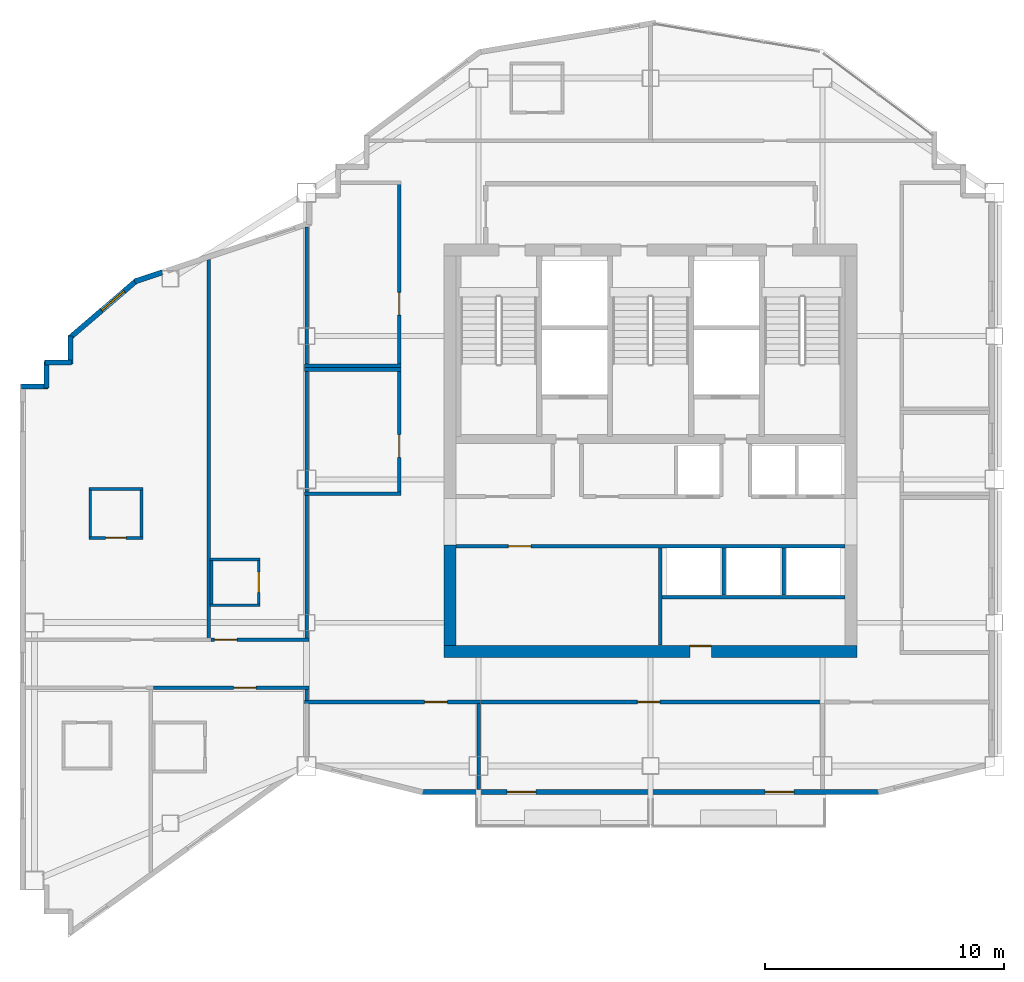
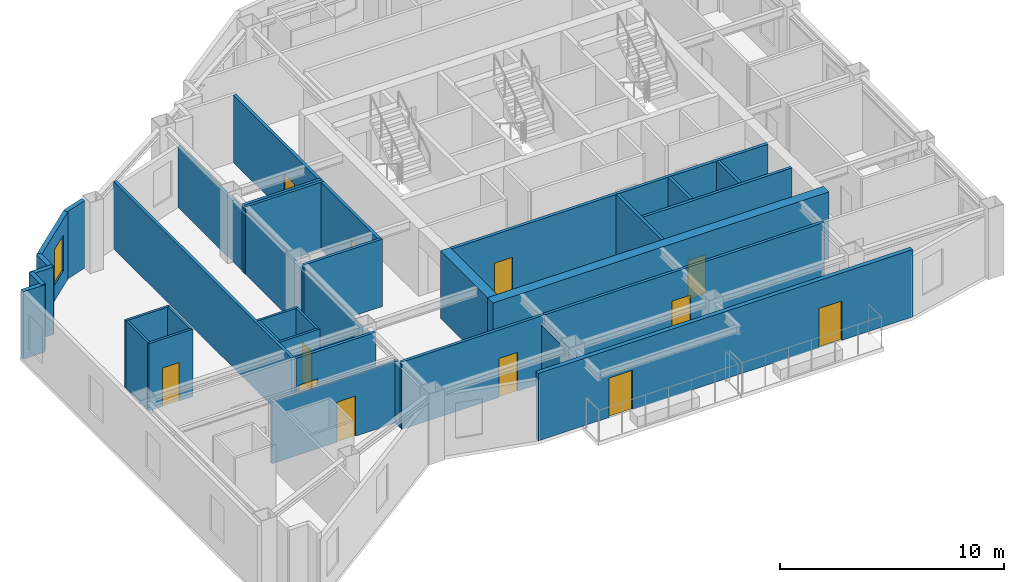
# One storey, part 5 of 9: 37 walls, 12 doors, 1 window, 13 openings.
"""IFC4 building model written with IfcOpenShell, lengths in metres."""

import ifcopenshell
import ifcopenshell.guid

model = None  # the IFC model being written
_history = None  # IfcOwnerHistory: only IFC2X3 demands one
_inside = {}  # id of a spatial element -> (the spatial element, [elements in it])
_under = {}  # id of a project, library or spatial element -> (it, [spatial elements below it])
_declared = {}  # id of a project -> (the project, [libraries it declares])
_typed = {}  # id of a type object -> (the type object, [elements of that type])
_made_of = {}  # id of a material, layer set ... -> (it, [elements and type objects made of it])


def new_model(schema):
    """Start an empty IFC model of exactly this schema.

    Asked for "IFC4X3", IfcOpenShell would pick the latest addendum, in which some entities
    have other attributes; the version numbers below select the first issue.
    IFC2X3 requires an IfcOwnerHistory on every rooted entity: one is made here for all.
    """
    global model, _history
    if schema == "IFC4X3":
        model = ifcopenshell.file(schema_version=(4, 3, 0, 0))
    else:
        model = ifcopenshell.file(schema=schema)
    _inside.clear()
    _under.clear()
    _declared.clear()
    _typed.clear()
    _made_of.clear()
    _history = None
    if model.schema == "IFC2X3":
        org = make("IfcOrganization", Name="unknown")
        user = make(
            "IfcPersonAndOrganization",
            ThePerson=make("IfcPerson", FamilyName="unknown"),
            TheOrganization=org,
        )
        app = make(
            "IfcApplication",
            ApplicationDeveloper=org,
            Version="unknown",
            ApplicationFullName="unknown",
            ApplicationIdentifier="unknown",
        )
        _history = make(
            "IfcOwnerHistory",
            OwningUser=user,
            OwningApplication=app,
            ChangeAction="ADDED",
            CreationDate=0,
        )
    return model


def make(cls, **values):
    """One entity of the class cls with the attributes given. An attribute that is None is left unset."""
    return model.create_entity(
        cls, **{name: value for name, value in values.items() if value is not None}
    )


def rooted(cls, **values):
    """An entity with a GlobalId (a new one), such as an element, a storey or a relation."""
    return make(cls, GlobalId=ifcopenshell.guid.new(), OwnerHistory=_history, **values)


def si_unit(unit_type, name, prefix=None):
    """IfcSIUnit, for example si_unit("LENGTHUNIT", "METRE", prefix="MILLI")."""
    return make("IfcSIUnit", UnitType=unit_type, Prefix=prefix, Name=name)


def assignment(units):
    """IfcUnitAssignment: the units of a project."""
    return None if units is None else make("IfcUnitAssignment", Units=units)


def point(xyz):
    """IfcCartesianPoint."""
    return None if xyz is None else make("IfcCartesianPoint", Coordinates=xyz)


def direction(xyz):
    """IfcDirection."""
    return None if xyz is None else make("IfcDirection", DirectionRatios=xyz)


def frame(location, z_axis=None, x_axis=None):
    """IfcAxis2Placement3D, a coordinate frame: its origin and axes. An axis left out is left unset."""
    return make(
        "IfcAxis2Placement3D",
        Location=point(location),
        Axis=direction(z_axis),
        RefDirection=direction(x_axis),
    )


def frame_2d(location, x_axis=None):
    """IfcAxis2Placement2D, a coordinate frame in the plane: its origin and x axis."""
    return make(
        "IfcAxis2Placement2D", Location=point(location), RefDirection=direction(x_axis)
    )


def origin():
    """The frame at (0, 0, 0) with its axes left unset."""
    return frame((0.0, 0.0, 0.0))


def place(relative_to, where):
    """IfcLocalPlacement: puts the frame where relative to a parent placement (None: the world)."""
    return make(
        "IfcLocalPlacement", PlacementRelTo=relative_to, RelativePlacement=where
    )


def context(
    kind, dimensions, precision=None, world=None, true_north=None, identifier=None
):
    """IfcGeometricRepresentationContext, for example the 3D "Model" context."""
    return make(
        "IfcGeometricRepresentationContext",
        ContextIdentifier=identifier,
        ContextType=kind,
        CoordinateSpaceDimension=dimensions,
        Precision=precision,
        WorldCoordinateSystem=world,
        TrueNorth=true_north,
    )


def subcontext(parent, identifier, kind, view, scale=None):
    """IfcGeometricRepresentationSubContext, for example "Body" below "Model"."""
    return make(
        "IfcGeometricRepresentationSubContext",
        ContextIdentifier=identifier,
        ContextType=kind,
        ParentContext=parent,
        TargetScale=scale,
        TargetView=view,
    )


def project(units=None, contexts=None):
    """IfcProject with its units and contexts."""
    return rooted(
        "IfcProject",
        Name="project",
        RepresentationContexts=contexts,
        UnitsInContext=assignment(units),
    )


def spatial(cls, under=None, at=None, **own):
    """A site, building, storey or space (cls), placed at a placement, below another one or the project."""
    s = rooted(cls, ObjectPlacement=at, **own)
    if under is not None:
        _under.setdefault(under.id(), (under, []))[1].append(s)
    return s


def profile(cls, at=None, kind="AREA", **sizes):
    """A parametric profile (cls). Its sizes go by their IFC names, for example OverallWidth=200.0."""
    return make(cls, ProfileType=kind, Position=at, **sizes)


def rectangle(**sizes):
    """IfcRectangleProfileDef."""
    return profile("IfcRectangleProfileDef", **sizes)


def extrude(swept, where, along, depth):
    """IfcExtrudedAreaSolid: the profile swept, set in the frame where, extruded along a direction by depth."""
    return make(
        "IfcExtrudedAreaSolid",
        SweptArea=swept,
        Position=where,
        ExtrudedDirection=direction(along),
        Depth=depth,
    )


def shape(context_of_items, identifier, shape_type, items):
    """IfcShapeRepresentation: the items that make up one representation, for example the "Body"."""
    return make(
        "IfcShapeRepresentation",
        ContextOfItems=context_of_items,
        RepresentationIdentifier=identifier,
        RepresentationType=shape_type,
        Items=items,
    )


def material(Name=None, Category=None):
    """IfcMaterial."""
    return make("IfcMaterial", Name=Name, Category=Category)


def layer(
    of_material, thickness, ventilated=None, Name=None, Category=None, Priority=None
):
    """IfcMaterialLayer: one layer of a wall or slab, of a material (None: an air gap)."""
    return make(
        "IfcMaterialLayer",
        Material=of_material,
        LayerThickness=thickness,
        IsVentilated=ventilated,
        Name=Name,
        Category=Category,
        Priority=Priority,
    )


def layer_set(layers, Name=None):
    """IfcMaterialLayerSet."""
    return make("IfcMaterialLayerSet", MaterialLayers=layers, LayerSetName=Name)


def made_of(thing, what):
    """Note that an element or type object is made of a material, layer set ...; save() writes the relation."""
    if what is not None:
        _made_of.setdefault(what.id(), (what, []))[1].append(thing)
    return thing


def type_object(cls, material=None, **own):
    """A type object (cls), such as IfcWallType, which elements share."""
    return made_of(rooted(cls, **own), material)


def element(
    cls,
    number,
    at=None,
    inside=None,
    cuts=None,
    type_object=None,
    material=None,
    context=None,
    identifier="Body",
    shape_type=None,
    held_by="IfcProductDefinitionShape",
    body=None,
    shapes=None,
    **own,
):
    """One element of the class cls, such as IfcWall. Its Tag is "e" and its number.

    at: its placement. inside: the storey or other place that contains it. cuts: it is an
    opening in that element (IfcRelVoidsElement). A single representation is given by context,
    identifier, shape_type and body (its items); several are given by shapes. held_by: the class
    of the entity that holds the representations. save() writes the other relations.
    """
    e = rooted(cls, Tag="e%d" % number, ObjectPlacement=at, **own)
    if body is not None:
        shapes = [shape(context, identifier, shape_type, body)]
    if shapes is not None:
        e.Representation = make(held_by, Representations=shapes)
    if inside is not None:
        _inside.setdefault(inside.id(), (inside, []))[1].append(e)
    if cuts is not None:
        rooted(
            "IfcRelVoidsElement", RelatingBuildingElement=cuts, RelatedOpeningElement=e
        )
    if type_object is not None:
        _typed.setdefault(type_object.id(), (type_object, []))[1].append(e)
    return made_of(e, material)


def fill(opening, filler):
    """IfcRelFillsElement: the door or window that sits in an opening."""
    return rooted(
        "IfcRelFillsElement",
        RelatingOpeningElement=opening,
        RelatedBuildingElement=filler,
    )


def aggregate(whole, parts):
    """IfcRelAggregates: a whole, such as a stair, and the parts it consists of."""
    return rooted("IfcRelAggregates", RelatingObject=whole, RelatedObjects=parts)


def save(model, path):
    """Write the relations noted so far, then the file.

    IfcRelAggregates (storeys below a building ...), IfcRelContainedInSpatialStructure (elements
    in a storey), IfcRelDefinesByType, IfcRelAssociatesMaterial and IfcRelDeclares: one each for
    every whole, place, type object, material and project.
    """
    for whole, parts in _under.values():
        aggregate(whole, parts)
    for where, things in _inside.values():
        rooted(
            "IfcRelContainedInSpatialStructure",
            RelatedElements=things,
            RelatingStructure=where,
        )
    for kind, things in _typed.values():
        rooted("IfcRelDefinesByType", RelatedObjects=things, RelatingType=kind)
    for what, things in _made_of.values():
        rooted("IfcRelAssociatesMaterial", RelatedObjects=things, RelatingMaterial=what)
    for by, libraries in _declared.values():
        rooted("IfcRelDeclares", RelatingContext=by, RelatedDefinitions=libraries)
    model.write(path)


model = new_model("IFC4")

# Units and contexts
model_context = context("Model", 3, precision=1e-05, world=origin(), true_north=direction((0.0, 1.0)))
body_context = subcontext(model_context, "Body", "Model", "MODEL_VIEW")
ifc_project = project(units=[si_unit("LENGTHUNIT", "METRE"), si_unit("AREAUNIT", "SQUARE_METRE"), si_unit("VOLUMEUNIT", "CUBIC_METRE"), si_unit("PLANEANGLEUNIT", "RADIAN"), si_unit("MASSUNIT", "GRAM", prefix="KILO")], contexts=[model_context])

# Site, building, storey
site_placement = place(None, origin())
site = spatial("IfcSite", under=ifc_project, at=site_placement, CompositionType="ELEMENT")
building_placement = place(site_placement, origin())
building = spatial("IfcBuilding", under=site, at=building_placement, Name="Haolan Belvedere Tower", CompositionType="ELEMENT")
storey_placement = place(building_placement, frame((0.0, 0.0, 239.050048828125)))
storey = spatial("IfcBuildingStorey", under=building, at=storey_placement, Name="L60", CompositionType="ELEMENT", Elevation=239.050048828125)

# Wall, opening, door
ifc_material_1 = material(Name="Concrete C50/60", Category="concrete")
ifc_layer_1 = layer(ifc_material_1, 0.5, Name="Concrete C50/60")
ifc_layer_set_1 = layer_set([ifc_layer_1], Name="Concrete C50/60")
wall_type_1 = type_object("IfcWallType", Name="WL-CORE-500", PredefinedType="SHEAR", material=ifc_layer_set_1)
wall_1_placement = place(storey_placement, frame((29.75, 26.39990234375, 0.0), z_axis=(0.0, 0.0, 1.0), x_axis=(1.0, 0.0, 0.0)))
wall_1 = element("IfcWall", 1, at=wall_1_placement, inside=storey, type_object=wall_type_1, Name="L60 central core south shear wall", PredefinedType="SHEAR", context=body_context, shape_type="SweptSolid", body=[
    extrude(rectangle(XDim=17.300048828125, YDim=0.5, at=frame_2d((8.64990234375, 0.0))), origin(), (0.0, 0.0, 1.0), 3.669921875),
])
opening_1_placement = place(wall_1_placement, frame((11.199951171875, 0.0, 0.0), z_axis=(0.0, 0.0, 1.0), x_axis=(-1.0, 0.0, 0.0)))
opening_1 = element("IfcOpeningElement", 2, at=opening_1_placement, cuts=wall_1, Name="Opening FD-05", PredefinedType="OPENING", context=body_context, shape_type="SweptSolid", body=[
    extrude(rectangle(XDim=0.89990234375, YDim=2.10009765625, at=frame_2d((0.449951171875, 1.050048828125))), frame((0.0, 0.260009765625, 0.0), z_axis=(0.0, -1.0, 0.0), x_axis=(1.0, 0.0, 0.0)), (0.0, 0.0, 1.0), 0.52001953125),
])
ifc_material_2 = material(Name="Galvanised fire-rated steel", Category="steel")
door_type_1 = type_object("IfcDoorType", Name="DR-FD60-900", OperationType="NOTDEFINED", PredefinedType="DOOR", material=ifc_material_2)
door_1_placement = place(opening_1_placement, origin())
door_1 = element("IfcDoor", 3, at=door_1_placement, inside=storey, type_object=door_type_1, Name="L60 door CD-L60-SCVE", OperationType="SINGLE_SWING_RIGHT", OverallHeight=2.10009765625, OverallWidth=0.89990234375, PredefinedType="DOOR", context=body_context, shape_type="SweptSolid", body=[
    extrude(rectangle(XDim=0.89990234375, YDim=2.10009765625, at=frame_2d((0.449951171875, 1.050048828125))), frame((0.0, -0.19482421875, 0.0), z_axis=(0.0, -1.0, 0.0), x_axis=(1.0, 0.0, 0.0)), (0.0, 0.0, 1.0), 0.050048828125),
])
fill(opening_1, door_1)

# Wall
wall_2_placement = place(storey_placement, frame((30.0, 26.64990234375, 0.0), z_axis=(0.0, 0.0, 1.0), x_axis=(0.0, 1.0, 0.0)))
element("IfcWall", 4, at=wall_2_placement, inside=storey, type_object=wall_type_1, Name="L60 central core shear wall WS", PredefinedType="SHEAR", context=body_context, shape_type="SweptSolid", body=[
    extrude(rectangle(XDim=4.2001953125, YDim=0.5, at=frame_2d((2.10009765625, 0.0))), origin(), (0.0, 0.0, 1.0), 3.669921875),
])

# Wall, openings, doors
ifc_material_3 = material(Name="Precast concrete C40/50", Category="concrete")
ifc_layer_2 = layer(ifc_material_3, 0.219970703125, Name="Precast concrete C40/50")
ifc_layer_set_2 = layer_set([ifc_layer_2], Name="Precast concrete C40/50")
wall_type_2 = type_object("IfcWallType", Name="WL-EXT-220", PredefinedType="SOLIDWALL", material=ifc_layer_set_2)
wall_3_placement = place(storey_placement, frame((28.758544921875, 20.510009765625, 0.0), z_axis=(0.0, 0.0, 1.0), x_axis=(1.0, 0.0, 0.0)))
wall_3 = element("IfcWall", 5, at=wall_3_placement, inside=storey, type_object=wall_type_2, Name="L60 pale-metal exterior spandrel wall 1.1", PredefinedType="SOLIDWALL", context=body_context, shape_type="SweptSolid", body=[
    extrude(rectangle(XDim=19.282958984375, YDim=0.219970703125, at=frame_2d((9.6416015625, 0.0))), origin(), (0.0, 0.0, 1.0), 3.669921875),
])
opening_2_placement = place(wall_3_placement, frame((4.841552734375, 0.0, 0.0), z_axis=(0.0, 0.0, 1.0), x_axis=(-1.0, 0.0, 0.0)))
opening_2 = element("IfcOpeningElement", 6, at=opening_2_placement, cuts=wall_3, Name="Opening BD-01", PredefinedType="OPENING", context=body_context, shape_type="SweptSolid", body=[
    extrude(rectangle(XDim=1.199951171875, YDim=2.14990234375, at=frame_2d((0.60009765625, 1.074951171875))), frame((0.0, 0.119873046875, 0.0), z_axis=(0.0, -1.0, 0.0), x_axis=(1.0, 0.0, 0.0)), (0.0, 0.0, 1.0), 0.239990234375),
])
opening_3_placement = place(wall_3_placement, frame((15.641357421875, 0.0, 0.0), z_axis=(0.0, 0.0, 1.0), x_axis=(-1.0, 0.0, 0.0)))
opening_3 = element("IfcOpeningElement", 7, at=opening_3_placement, cuts=wall_3, Name="Opening BD-01", PredefinedType="OPENING", context=body_context, shape_type="SweptSolid", body=[
    extrude(rectangle(XDim=1.199951171875, YDim=2.14990234375, at=frame_2d((0.60009765625, 1.074951171875))), frame((0.0, 0.119873046875, 0.0), z_axis=(0.0, -1.0, 0.0), x_axis=(1.0, 0.0, 0.0)), (0.0, 0.0, 1.0), 0.239990234375),
])
ifc_material_4 = material(Name="Thermally broken pale-metal aluminium and Low-E glass", Category="aluminium")
door_type_2 = type_object("IfcDoorType", Name="DR-BAL-1200", OperationType="NOTDEFINED", PredefinedType="DOOR", material=ifc_material_4)
door_2_placement = place(opening_2_placement, origin())
door_2 = element("IfcDoor", 8, at=door_2_placement, inside=storey, type_object=door_type_2, Name="L60 tree-balcony access door 1", OperationType="SINGLE_SWING_RIGHT", OverallHeight=2.14990234375, OverallWidth=1.199951171875, PredefinedType="DOOR", context=body_context, shape_type="SweptSolid", body=[
    extrude(rectangle(XDim=1.199951171875, YDim=2.14990234375, at=frame_2d((0.60009765625, 1.074951171875))), frame((0.0, 0.02490234375, 0.0), z_axis=(0.0, -1.0, 0.0), x_axis=(1.0, 0.0, 0.0)), (0.0, 0.0, 1.0), 0.050048828125),
])
fill(opening_2, door_2)
door_3_placement = place(opening_3_placement, origin())
door_3 = element("IfcDoor", 9, at=door_3_placement, inside=storey, type_object=door_type_2, Name="L60 tree-balcony access door 2", OperationType="SINGLE_SWING_LEFT", OverallHeight=2.14990234375, OverallWidth=1.199951171875, PredefinedType="DOOR", context=body_context, shape_type="SweptSolid", body=[
    extrude(rectangle(XDim=1.199951171875, YDim=2.14990234375, at=frame_2d((0.60009765625, 1.074951171875))), frame((0.0, 0.02490234375, 0.0), z_axis=(0.0, -1.0, 0.0), x_axis=(1.0, 0.0, 0.0)), (0.0, 0.0, 1.0), 0.050048828125),
])
fill(opening_3, door_3)

# Wall
wall_4_placement = place(storey_placement, frame((17.9580078125, 42.27001953125, 0.0), z_axis=(0.0, 0.0, 1.0), x_axis=(-0.948683298051, -0.316227766017, 0.0)))
element("IfcWall", 10, at=wall_4_placement, inside=storey, type_object=wall_type_2, Name="L60 pale-metal exterior spandrel wall 17.2", PredefinedType="SOLIDWALL", context=body_context, shape_type="SweptSolid", body=[
    extrude(rectangle(XDim=1.217529296875, YDim=0.219970703125, at=frame_2d((0.60888671875, 0.0))), origin(), (0.0, 0.0, 1.0), 3.669921875),
])

# Wall, opening, window
wall_5_placement = place(storey_placement, frame((16.89697265625, 41.938232421875, 0.0), z_axis=(0.0, 0.0, 1.0), x_axis=(-0.759279729622, -0.650764390686, 0.0)))
wall_5 = element("IfcWall", 11, at=wall_5_placement, inside=storey, type_object=wall_type_2, Name="L60 pale-metal exterior spandrel wall 18.1", PredefinedType="SOLIDWALL", context=body_context, shape_type="SweptSolid", body=[
    extrude(rectangle(XDim=3.725830078125, YDim=0.219970703125, at=frame_2d((1.86279296875, 0.0))), origin(), (0.0, 0.0, 1.0), 3.669921875),
])
opening_4_placement = place(wall_5_placement, frame((0.699951171875, 0.0, 0.85009765625)))
opening_4 = element("IfcOpeningElement", 12, at=opening_4_placement, cuts=wall_5, Name="Opening W-04", PredefinedType="OPENING", context=body_context, shape_type="SweptSolid", body=[
    extrude(rectangle(XDim=1.25, YDim=1.949951171875, at=frame_2d((0.625, 0.97509765625))), frame((0.0, 0.119873046875, 0.0), z_axis=(0.0, -1.0, 0.0), x_axis=(1.0, 0.0, 0.0)), (0.0, 0.0, 1.0), 0.239990234375),
])
ifc_material_5 = material(Name="Anodised aluminium 6063-T6 and Low-E glass", Category="aluminium")
window_type = type_object("IfcWindowType", Name="WN-DECO-Z4", PartitioningType="SINGLE_PANEL", PredefinedType="WINDOW", material=ifc_material_5)
window_placement = place(opening_4_placement, origin())
window = element("IfcWindow", 13, at=window_placement, inside=storey, type_object=window_type, Name="L60 Art Deco chevron window 1", OverallHeight=1.949951171875, OverallWidth=1.25, PartitioningType="SINGLE_PANEL", PredefinedType="WINDOW", context=body_context, shape_type="SweptSolid", body=[
    extrude(rectangle(XDim=1.25, YDim=1.949951171875, at=frame_2d((0.625, 0.97509765625))), frame((0.0, 0.030029296875, 0.0), z_axis=(0.0, -1.0, 0.0), x_axis=(1.0, 0.0, 0.0)), (0.0, 0.0, 1.0), 0.06005859375),
])
fill(opening_4, window)

# Walls
wall_6_placement = place(storey_placement, frame((14.110107421875, 39.6044921875, 0.0), z_axis=(0.0, 0.0, 1.0), x_axis=(0.0, -1.0, 0.0)))
element("IfcWall", 14, at=wall_6_placement, inside=storey, type_object=wall_type_2, Name="L60 pale-metal exterior spandrel wall 19.1", PredefinedType="SOLIDWALL", context=body_context, shape_type="SweptSolid", body=[
    extrude(rectangle(XDim=1.16943359375, YDim=0.219970703125, at=frame_2d((0.584716796875, 0.0))), origin(), (0.0, 0.0, 1.0), 3.669921875),
])
wall_7_placement = place(storey_placement, frame((14.1650390625, 38.489990234375, 0.0), z_axis=(0.0, 0.0, 1.0), x_axis=(-1.0, 0.0, 0.0)))
element("IfcWall", 15, at=wall_7_placement, inside=storey, type_object=wall_type_2, Name="L60 pale-metal exterior spandrel wall 20.1", PredefinedType="SOLIDWALL", context=body_context, shape_type="SweptSolid", body=[
    extrude(rectangle(XDim=1.110107421875, YDim=0.219970703125, at=frame_2d((0.55517578125, 0.0))), origin(), (0.0, 0.0, 1.0), 3.669921875),
])
wall_8_placement = place(storey_placement, frame((13.110107421875, 38.544921875, 0.0), z_axis=(0.0, 0.0, 1.0), x_axis=(0.0, -1.0, 0.0)))
element("IfcWall", 16, at=wall_8_placement, inside=storey, type_object=wall_type_2, Name="L60 pale-metal exterior spandrel wall 21.1", PredefinedType="SOLIDWALL", context=body_context, shape_type="SweptSolid", body=[
    extrude(rectangle(XDim=1.10986328125, YDim=0.219970703125, at=frame_2d((0.554931640625, 0.0))), origin(), (0.0, 0.0, 1.0), 3.669921875),
])
wall_9_placement = place(storey_placement, frame((13.1650390625, 37.489990234375, 0.0), z_axis=(0.0, 0.0, 1.0), x_axis=(-1.0, 0.0, 0.0)))
element("IfcWall", 17, at=wall_9_placement, inside=storey, type_object=wall_type_2, Name="L60 pale-metal exterior spandrel wall 22.1", PredefinedType="SOLIDWALL", context=body_context, shape_type="SweptSolid", body=[
    extrude(rectangle(XDim=1.110107421875, YDim=0.219970703125, at=frame_2d((0.55517578125, 0.0))), origin(), (0.0, 0.0, 1.0), 3.669921875),
])
ifc_material_6 = material(Name="Double gypsum acoustic stud partition", Category="masonry")
ifc_layer_3 = layer(ifc_material_6, 0.14990234375, Name="Double gypsum acoustic stud partition")
ifc_layer_set_3 = layer_set([ifc_layer_3], Name="Double gypsum acoustic stud partition")
wall_type_3 = type_object("IfcWallType", Name="WL-PART-150", PredefinedType="PARTITIONING", material=ifc_layer_set_3)
wall_10_placement = place(storey_placement, frame((38.860107421875, 28.659912109375, 0.0), z_axis=(0.0, 0.0, 1.0), x_axis=(1.0, 0.0, 0.0)))
element("IfcWall", 18, at=wall_10_placement, inside=storey, type_object=wall_type_3, Name="L60 interior partition IW-L60-SSTRIP-E", PredefinedType="PARTITIONING", context=body_context, shape_type="SweptSolid", body=[
    extrude(rectangle(XDim=7.68994140625, YDim=0.14990234375, at=frame_2d((3.844970703125, 0.0))), origin(), (0.0, 0.0, 1.0), 3.669921875),
])
for number, where, z_axis, x_axis, name in (
    (19, (23.919921875, 38.199951171875, 0.0), (0.0, 0.0, 1.0), (1.0, 0.0, 0.0), "L60 interior partition IW-L60-HSK-N"),
    (20, (23.919921875, 33.0, 0.0), (0.0, 0.0, 1.0), (1.0, 0.0, 0.0), "L60 interior partition IW-L60-HSK-S"),
):
    element("IfcWall", number, at=place(storey_placement, frame(where, z_axis=z_axis, x_axis=x_axis)), inside=storey, type_object=wall_type_3, Name=name, PredefinedType="PARTITIONING", context=body_context, shape_type="SweptSolid", body=[
        extrude(rectangle(XDim=4.0400390625, YDim=0.14990234375, at=frame_2d((2.02001953125, 0.0))), origin(), (0.0, 0.0, 1.0), 3.669921875),
    ])
wall_11_placement = place(storey_placement, frame((24.0, 33.06005859375, 0.0), z_axis=(0.0, 0.0, 1.0), x_axis=(0.0, 1.0, 0.0)))
element("IfcWall", 21, at=wall_11_placement, inside=storey, type_object=wall_type_3, Name="L60 interior partition IW-L60-HSK-W", PredefinedType="PARTITIONING", context=body_context, shape_type="SweptSolid", body=[
    extrude(rectangle(XDim=5.079833984375, YDim=0.14990234375, at=frame_2d((2.5400390625, 0.0))), origin(), (0.0, 0.0, 1.0), 3.31494140625),
])

# Wall, opening, door
wall_12_placement = place(storey_placement, frame((27.8798828125, 33.06005859375, 0.0), z_axis=(0.0, 0.0, 1.0), x_axis=(0.0, 1.0, 0.0)))
wall_12 = element("IfcWall", 22, at=wall_12_placement, inside=storey, type_object=wall_type_3, Name="L60 interior partition IW-L60-HSK-E", PredefinedType="PARTITIONING", context=body_context, shape_type="SweptSolid", body=[
    extrude(rectangle(XDim=5.079833984375, YDim=0.14990234375, at=frame_2d((2.5400390625, 0.0))), origin(), (0.0, 0.0, 1.0), 3.669921875),
])
opening_5_placement = place(wall_12_placement, frame((2.409912109375, 0.0, 0.0), z_axis=(0.0, 0.0, 1.0), x_axis=(-1.0, 0.0, 0.0)))
opening_5 = element("IfcOpeningElement", 23, at=opening_5_placement, cuts=wall_12, Name="Opening ID-03", PredefinedType="OPENING", context=body_context, shape_type="SweptSolid", body=[
    extrude(rectangle(XDim=0.949951171875, YDim=2.1201171875, at=frame_2d((0.47509765625, 1.06005859375))), frame((0.0, 0.0849609375, 0.0), z_axis=(0.0, -1.0, 0.0), x_axis=(1.0, 0.0, 0.0)), (0.0, 0.0, 1.0), 0.169921875),
])
ifc_material_7 = material(Name="Painted solid-core timber", Category="wood")
door_type_3 = type_object("IfcDoorType", Name="DR-INT-950", OperationType="NOTDEFINED", PredefinedType="DOOR", material=ifc_material_7)
door_4_placement = place(opening_5_placement, origin())
door_4 = element("IfcDoor", 24, at=door_4_placement, inside=storey, type_object=door_type_3, Name="L60 door ID-L60-HSK", OperationType="SINGLE_SWING_LEFT", OverallHeight=2.1201171875, OverallWidth=0.949951171875, PredefinedType="DOOR", context=body_context, shape_type="SweptSolid", body=[
    extrude(rectangle(XDim=0.949951171875, YDim=2.1201171875, at=frame_2d((0.47509765625, 1.06005859375))), frame((0.0, 0.02490234375, 0.0), z_axis=(0.0, -1.0, 0.0), x_axis=(1.0, 0.0, 0.0)), (0.0, 0.0, 1.0), 0.050048828125),
])
fill(opening_5, door_4)

# Walls
wall_13_placement = place(storey_placement, frame((23.919921875, 38.360107421875, 0.0), z_axis=(0.0, 0.0, 1.0), x_axis=(1.0, 0.0, 0.0)))
element("IfcWall", 25, at=wall_13_placement, inside=storey, type_object=wall_type_3, Name="L60 interior partition IW-L60-VLT-S", PredefinedType="PARTITIONING", context=body_context, shape_type="SweptSolid", body=[
    extrude(rectangle(XDim=4.0400390625, YDim=0.14990234375, at=frame_2d((2.02001953125, 0.0))), origin(), (0.0, 0.0, 1.0), 3.669921875),
])
wall_14_placement = place(storey_placement, frame((24.0, 38.419921875, 0.0), z_axis=(0.0, 0.0, 1.0), x_axis=(0.0, 1.0, 0.0)))
element("IfcWall", 26, at=wall_14_placement, inside=storey, type_object=wall_type_3, Name="L60 interior partition IW-L60-VLT-W", PredefinedType="PARTITIONING", context=body_context, shape_type="SweptSolid", body=[
    extrude(rectangle(XDim=5.756591796875, YDim=0.14990234375, at=frame_2d((2.87841796875, 0.0))), origin(), (0.0, 0.0, 1.0), 3.31494140625),
])

# Wall, opening, door
wall_15_placement = place(storey_placement, frame((27.8798828125, 38.419921875, 0.0), z_axis=(0.0, 0.0, 1.0), x_axis=(0.0, 1.0, 0.0)))
wall_15 = element("IfcWall", 27, at=wall_15_placement, inside=storey, type_object=wall_type_3, Name="L60 interior partition IW-L60-VLT-E", PredefinedType="PARTITIONING", context=body_context, shape_type="SweptSolid", body=[
    extrude(rectangle(XDim=7.5400390625, YDim=0.14990234375, at=frame_2d((3.77001953125, 0.0))), origin(), (0.0, 0.0, 1.0), 3.669921875),
])
opening_6_placement = place(wall_15_placement, frame((3.010009765625, 0.0, 0.0), z_axis=(0.0, 0.0, 1.0), x_axis=(-1.0, 0.0, 0.0)))
opening_6 = element("IfcOpeningElement", 28, at=opening_6_placement, cuts=wall_15, Name="Opening ID-03", PredefinedType="OPENING", context=body_context, shape_type="SweptSolid", body=[
    extrude(rectangle(XDim=0.949951171875, YDim=2.1201171875, at=frame_2d((0.47509765625, 1.06005859375))), frame((0.0, 0.0849609375, 0.0), z_axis=(0.0, -1.0, 0.0), x_axis=(1.0, 0.0, 0.0)), (0.0, 0.0, 1.0), 0.169921875),
])
door_5_placement = place(opening_6_placement, origin())
door_5 = element("IfcDoor", 29, at=door_5_placement, inside=storey, type_object=door_type_3, Name="L60 door ID-L60-VLT", OperationType="SINGLE_SWING_RIGHT", OverallHeight=2.1201171875, OverallWidth=0.949951171875, PredefinedType="DOOR", context=body_context, shape_type="SweptSolid", body=[
    extrude(rectangle(XDim=0.949951171875, YDim=2.1201171875, at=frame_2d((0.47509765625, 1.06005859375))), frame((0.0, 0.02490234375, 0.0), z_axis=(0.0, -1.0, 0.0), x_axis=(1.0, 0.0, 0.0)), (0.0, 0.0, 1.0), 0.050048828125),
])
fill(opening_6, door_5)

wall_16_placement = place(storey_placement, frame((23.919921875, 24.280029296875, 0.0), z_axis=(0.0, 0.0, 1.0), x_axis=(1.0, 0.0, 0.0)))
wall_16 = element("IfcWall", 30, at=wall_16_placement, inside=storey, type_object=wall_type_3, Name="L60 interior partition IW-L60-KS1-N", PredefinedType="PARTITIONING", context=body_context, shape_type="SweptSolid", body=[
    extrude(rectangle(XDim=7.360107421875, YDim=0.14990234375, at=frame_2d((3.68017578125, 0.0))), origin(), (0.0, 0.0, 1.0), 3.669921875),
])
opening_7_placement = place(wall_16_placement, frame((5.969970703125, 0.0, 0.0), z_axis=(0.0, 0.0, 1.0), x_axis=(-1.0, 0.0, 0.0)))
opening_7 = element("IfcOpeningElement", 31, at=opening_7_placement, cuts=wall_16, Name="Opening ID-03", PredefinedType="OPENING", context=body_context, shape_type="SweptSolid", body=[
    extrude(rectangle(XDim=0.949951171875, YDim=2.1201171875, at=frame_2d((0.47509765625, 1.06005859375))), frame((0.0, 0.0849609375, 0.0), z_axis=(0.0, -1.0, 0.0), x_axis=(1.0, 0.0, 0.0)), (0.0, 0.0, 1.0), 0.169921875),
])
door_6_placement = place(opening_7_placement, origin())
door_6 = element("IfcDoor", 32, at=door_6_placement, inside=storey, type_object=door_type_3, Name="L60 door ID-L60-KS1", OperationType="SINGLE_SWING_RIGHT", OverallHeight=2.1201171875, OverallWidth=0.949951171875, PredefinedType="DOOR", context=body_context, shape_type="SweptSolid", body=[
    extrude(rectangle(XDim=0.949951171875, YDim=2.1201171875, at=frame_2d((0.47509765625, 1.06005859375))), frame((0.0, 0.02490234375, 0.0), z_axis=(0.0, -1.0, 0.0), x_axis=(1.0, 0.0, 0.0)), (0.0, 0.0, 1.0), 0.050048828125),
])
fill(opening_7, door_6)

# Wall
wall_17_placement = place(storey_placement, frame((31.199951171875, 20.612060546875, 0.0), z_axis=(0.0, 0.0, 1.0), x_axis=(0.0, 1.0, 0.0)))
element("IfcWall", 33, at=wall_17_placement, inside=storey, type_object=wall_type_3, Name="L60 interior partition IW-L60-KS1-E", PredefinedType="PARTITIONING", context=body_context, shape_type="SweptSolid", body=[
    extrude(rectangle(XDim=3.60791015625, YDim=0.14990234375, at=frame_2d((1.803955078125, 0.0))), origin(), (0.0, 0.0, 1.0), 3.155029296875),
])

# Wall, opening, door
wall_18_placement = place(storey_placement, frame((31.281982421875, 24.280029296875, 0.0), z_axis=(0.0, 0.0, 1.0), x_axis=(1.0, 0.0, 0.0)))
wall_18 = element("IfcWall", 34, at=wall_18_placement, inside=storey, type_object=wall_type_3, Name="L60 interior partition IW-L60-KS2-N", PredefinedType="PARTITIONING", context=body_context, shape_type="SweptSolid", body=[
    extrude(rectangle(XDim=14.39794921875, YDim=0.14990234375, at=frame_2d((7.198974609375, 0.0))), origin(), (0.0, 0.0, 1.0), 3.669921875),
])
opening_8_placement = place(wall_18_placement, frame((7.512939453125, 0.0, 0.0), z_axis=(0.0, 0.0, 1.0), x_axis=(-1.0, 0.0, 0.0)))
opening_8 = element("IfcOpeningElement", 35, at=opening_8_placement, cuts=wall_18, Name="Opening ID-03", PredefinedType="OPENING", context=body_context, shape_type="SweptSolid", body=[
    extrude(rectangle(XDim=0.949951171875, YDim=2.1201171875, at=frame_2d((0.47509765625, 1.06005859375))), frame((0.0, 0.0849609375, 0.0), z_axis=(0.0, -1.0, 0.0), x_axis=(1.0, 0.0, 0.0)), (0.0, 0.0, 1.0), 0.169921875),
])
door_7_placement = place(opening_8_placement, origin())
door_7 = element("IfcDoor", 36, at=door_7_placement, inside=storey, type_object=door_type_3, Name="L60 door ID-L60-KS2", OperationType="SINGLE_SWING_LEFT", OverallHeight=2.1201171875, OverallWidth=0.949951171875, PredefinedType="DOOR", context=body_context, shape_type="SweptSolid", body=[
    extrude(rectangle(XDim=0.949951171875, YDim=2.1201171875, at=frame_2d((0.47509765625, 1.06005859375))), frame((0.0, 0.02490234375, 0.0), z_axis=(0.0, -1.0, 0.0), x_axis=(1.0, 0.0, 0.0)), (0.0, 0.0, 1.0), 0.050048828125),
])
fill(opening_8, door_7)

# Wall
wall_19_placement = place(storey_placement, frame((19.89990234375, 26.93994140625, 0.0), z_axis=(0.0, 0.0, 1.0), x_axis=(0.0, 1.0, 0.0)))
element("IfcWall", 37, at=wall_19_placement, inside=storey, type_object=wall_type_3, Name="L60 interior partition IW-L60-T2N1-E", PredefinedType="PARTITIONING", context=body_context, shape_type="SweptSolid", body=[
    extrude(rectangle(XDim=15.869873046875, YDim=0.14990234375, at=frame_2d((7.93505859375, 0.0))), origin(), (0.0, 0.0, 1.0), 3.669921875),
])

# Wall, opening, door
wall_20_placement = place(storey_placement, frame((20.001953125, 26.8798828125, 0.0), z_axis=(0.0, 0.0, 1.0), x_axis=(1.0, 0.0, 0.0)))
wall_20 = element("IfcWall", 38, at=wall_20_placement, inside=storey, type_object=wall_type_3, Name="L60 interior partition IW-L60-T2N2-S", PredefinedType="PARTITIONING", context=body_context, shape_type="SweptSolid", body=[
    extrude(rectangle(XDim=4.09814453125, YDim=0.14990234375, at=frame_2d((2.049072265625, 0.0))), origin(), (0.0, 0.0, 1.0), 3.669921875),
])
opening_9_placement = place(wall_20_placement, frame((0.139892578125, 0.0, 0.0)))
opening_9 = element("IfcOpeningElement", 39, at=opening_9_placement, cuts=wall_20, Name="Opening ID-01", PredefinedType="OPENING", context=body_context, shape_type="SweptSolid", body=[
    extrude(rectangle(XDim=0.949951171875, YDim=2.179931640625, at=frame_2d((0.47509765625, 1.08984375))), frame((0.0, 0.0849609375, 0.0), z_axis=(0.0, -1.0, 0.0), x_axis=(1.0, 0.0, 0.0)), (0.0, 0.0, 1.0), 0.169921875),
])
ifc_material_8 = material(Name="Acoustic walnut veneer fire-rated timber", Category="wood")
door_type_4 = type_object("IfcDoorType", Name="DR-SUITE-950", OperationType="NOTDEFINED", PredefinedType="DOOR", material=ifc_material_8)
door_8_placement = place(opening_9_placement, origin())
door_8 = element("IfcDoor", 40, at=door_8_placement, inside=storey, type_object=door_type_4, Name="L60 door ID-L60-T2N2-ENT", OperationType="SINGLE_SWING_RIGHT", OverallHeight=2.179931640625, OverallWidth=0.949951171875, PredefinedType="DOOR", context=body_context, shape_type="SweptSolid", body=[
    extrude(rectangle(XDim=0.949951171875, YDim=2.179931640625, at=frame_2d((0.47509765625, 1.08984375))), frame((0.0, 0.02490234375, 0.0), z_axis=(0.0, -1.0, 0.0), x_axis=(1.0, 0.0, 0.0)), (0.0, 0.0, 1.0), 0.050048828125),
])
fill(opening_9, door_8)

# Wall
wall_21_placement = place(storey_placement, frame((24.0, 26.93994140625, 0.0), z_axis=(0.0, 0.0, 1.0), x_axis=(0.0, 1.0, 0.0)))
element("IfcWall", 41, at=wall_21_placement, inside=storey, type_object=wall_type_3, Name="L60 interior partition IW-L60-T2N2-E", PredefinedType="PARTITIONING", context=body_context, shape_type="SweptSolid", body=[
    extrude(rectangle(XDim=6.0, YDim=0.14990234375, at=frame_2d((3.0, 0.0))), origin(), (0.0, 0.0, 1.0), 3.31494140625),
])

# Wall, opening, door
wall_22_placement = place(storey_placement, frame((17.58203125, 24.8701171875, 0.0), z_axis=(0.0, 0.0, 1.0), x_axis=(1.0, 0.0, 0.0)))
wall_22 = element("IfcWall", 42, at=wall_22_placement, inside=storey, type_object=wall_type_3, Name="L60 interior partition IW-L60-T2S2-N", PredefinedType="PARTITIONING", context=body_context, shape_type="SweptSolid", body=[
    extrude(rectangle(XDim=6.51806640625, YDim=0.14990234375, at=frame_2d((3.259033203125, 0.0))), origin(), (0.0, 0.0, 1.0), 3.35498046875),
])
opening_10_placement = place(wall_22_placement, frame((4.309326171875, 0.0, 0.0), z_axis=(0.0, 0.0, 1.0), x_axis=(-1.0, 0.0, 0.0)))
opening_10 = element("IfcOpeningElement", 43, at=opening_10_placement, cuts=wall_22, Name="Opening ID-01", PredefinedType="OPENING", context=body_context, shape_type="SweptSolid", body=[
    extrude(rectangle(XDim=0.949951171875, YDim=2.179931640625, at=frame_2d((0.47509765625, 1.08984375))), frame((0.0, 0.0849609375, 0.0), z_axis=(0.0, -1.0, 0.0), x_axis=(1.0, 0.0, 0.0)), (0.0, 0.0, 1.0), 0.169921875),
])
door_9_placement = place(opening_10_placement, origin())
door_9 = element("IfcDoor", 44, at=door_9_placement, inside=storey, type_object=door_type_4, Name="L60 door ID-L60-T2S2-ENT", OperationType="SINGLE_SWING_RIGHT", OverallHeight=2.179931640625, OverallWidth=0.949951171875, PredefinedType="DOOR", context=body_context, shape_type="SweptSolid", body=[
    extrude(rectangle(XDim=0.949951171875, YDim=2.179931640625, at=frame_2d((0.47509765625, 1.08984375))), frame((0.0, 0.02490234375, 0.0), z_axis=(0.0, -1.0, 0.0), x_axis=(1.0, 0.0, 0.0)), (0.0, 0.0, 1.0), 0.050048828125),
])
fill(opening_10, door_9)

# Wall
wall_23_placement = place(storey_placement, frame((24.0, 24.340087890625, 0.0), z_axis=(0.0, 0.0, 1.0), x_axis=(0.0, 1.0, 0.0)))
element("IfcWall", 45, at=wall_23_placement, inside=storey, type_object=wall_type_3, Name="L60 interior partition IW-L60-T2S2-E", PredefinedType="PARTITIONING", context=body_context, shape_type="SweptSolid", body=[
    extrude(rectangle(XDim=0.469970703125, YDim=0.14990234375, at=frame_2d((0.23486328125, 0.0))), origin(), (0.0, 0.0, 1.0), 3.31494140625),
])

# Wall, opening, door
ifc_material_9 = material(Name="Gypsum fire shaftwall assembly", Category="masonry")
ifc_layer_4 = layer(ifc_material_9, 0.1650390625, Name="Gypsum fire shaftwall assembly")
ifc_layer_set_4 = layer_set([ifc_layer_4], Name="Gypsum fire shaftwall assembly")
wall_type_4 = type_object("IfcWallType", Name="WL-SHAFT-160", PredefinedType="SOLIDWALL", material=ifc_layer_set_4)
wall_24_placement = place(storey_placement, frame((30.25, 30.800048828125, 0.0), z_axis=(0.0, 0.0, 1.0), x_axis=(1.0, 0.0, 0.0)))
wall_24 = element("IfcWall", 46, at=wall_24_placement, inside=storey, type_object=wall_type_4, Name="L60 interior partition IW-L60-ROW-PS", PredefinedType="SOLIDWALL", context=body_context, shape_type="SweptSolid", body=[
    extrude(rectangle(XDim=16.300048828125, YDim=0.159912109375, at=frame_2d((8.14990234375, 0.0))), origin(), (0.0, 0.0, 1.0), 3.669921875),
])
opening_11_placement = place(wall_24_placement, frame((2.199951171875, 0.0, 0.0)))
opening_11 = element("IfcOpeningElement", 47, at=opening_11_placement, cuts=wall_24, Name="Opening ID-03", PredefinedType="OPENING", context=body_context, shape_type="SweptSolid", body=[
    extrude(rectangle(XDim=0.949951171875, YDim=2.1201171875, at=frame_2d((0.47509765625, 1.06005859375))), frame((0.0, 0.08984375, 0.0), z_axis=(0.0, -1.0, 0.0), x_axis=(1.0, 0.0, 0.0)), (0.0, 0.0, 1.0), 0.179931640625),
])
door_10_placement = place(opening_11_placement, origin())
door_10 = element("IfcDoor", 48, at=door_10_placement, inside=storey, type_object=door_type_3, Name="L60 door ID-L60-CD-RPMA", OperationType="SINGLE_SWING_LEFT", OverallHeight=2.1201171875, OverallWidth=0.949951171875, PredefinedType="DOOR", context=body_context, shape_type="SweptSolid", body=[
    extrude(rectangle(XDim=0.949951171875, YDim=2.1201171875, at=frame_2d((0.47509765625, 1.06005859375))), frame((0.0, 0.02490234375, 0.0), z_axis=(0.0, -1.0, 0.0), x_axis=(1.0, 0.0, 0.0)), (0.0, 0.0, 1.0), 0.050048828125),
])
fill(opening_11, door_10)

# Walls
wall_25_placement = place(storey_placement, frame((38.800048828125, 26.659912109375, 0.0), z_axis=(0.0, 0.0, 1.0), x_axis=(0.0, 1.0, 0.0)))
element("IfcWall", 49, at=wall_25_placement, inside=storey, type_object=wall_type_4, Name="L60 interior partition IW-L60-DIV-PM-OB", PredefinedType="SOLIDWALL", context=body_context, shape_type="SweptSolid", body=[
    extrude(rectangle(XDim=4.0751953125, YDim=0.14990234375, at=frame_2d((2.03759765625, 0.0))), origin(), (0.0, 0.0, 1.0), 3.669921875),
])
for number, where, z_axis, x_axis, name in (
    (50, (41.469970703125, 28.75, 0.0), (0.0, 0.0, 1.0), (0.0, 1.0, 0.0), "L60 interior partition IW-L60-DIV-OB1"),
    (51, (43.97998046875, 28.75, 0.0), (0.0, 0.0, 1.0), (0.0, 1.0, 0.0), "L60 interior partition IW-L60-DIV-OB2"),
):
    element("IfcWall", number, at=place(storey_placement, frame(where, z_axis=z_axis, x_axis=x_axis)), inside=storey, type_object=wall_type_4, Name=name, PredefinedType="SOLIDWALL", context=body_context, shape_type="SweptSolid", body=[
        extrude(rectangle(XDim=1.985107421875, YDim=0.14990234375, at=frame_2d((0.99267578125, 0.0))), origin(), (0.0, 0.0, 1.0), 3.669921875),
    ])
ifc_material_10 = material(Name="Moisture-resistant gypsum tile partition", Category="masonry")
ifc_layer_5 = layer(ifc_material_10, 0.1201171875, Name="Moisture-resistant gypsum tile partition")
ifc_layer_set_5 = layer_set([ifc_layer_5], Name="Moisture-resistant gypsum tile partition")
wall_type_5 = type_object("IfcWallType", Name="WL-WET-120", PredefinedType="PARTITIONING", material=ifc_layer_set_5)
wall_26_placement = place(storey_placement, frame((14.8798828125, 33.199951171875, 0.0), z_axis=(0.0, 0.0, 1.0), x_axis=(1.0, 0.0, 0.0)))
element("IfcWall", 52, at=wall_26_placement, inside=storey, type_object=wall_type_5, Name="L60 interior partition IW-L60-T2N1-BN", PredefinedType="PARTITIONING", context=body_context, shape_type="SweptSolid", body=[
    extrude(rectangle(XDim=2.27001953125, YDim=0.1201171875, at=frame_2d((1.135009765625, 0.0))), origin(), (0.0, 0.0, 1.0), 3.669921875),
])

# Wall, opening, door
wall_27_placement = place(storey_placement, frame((14.8798828125, 31.14990234375, 0.0), z_axis=(0.0, 0.0, 1.0), x_axis=(1.0, 0.0, 0.0)))
wall_27 = element("IfcWall", 53, at=wall_27_placement, inside=storey, type_object=wall_type_5, Name="L60 interior partition IW-L60-T2N1-BS", PredefinedType="PARTITIONING", context=body_context, shape_type="SweptSolid", body=[
    extrude(rectangle(XDim=2.27001953125, YDim=0.1201171875, at=frame_2d((1.135009765625, 0.0))), origin(), (0.0, 0.0, 1.0), 3.669921875),
])
opening_12_placement = place(wall_27_placement, frame((0.7099609375, 0.0, 0.0)))
opening_12 = element("IfcOpeningElement", 54, at=opening_12_placement, cuts=wall_27, Name="Opening ID-05", PredefinedType="OPENING", context=body_context, shape_type="SweptSolid", body=[
    extrude(rectangle(XDim=0.85009765625, YDim=2.10009765625, at=frame_2d((0.425048828125, 1.050048828125))), frame((0.0, 0.070068359375, 0.0), z_axis=(0.0, -1.0, 0.0), x_axis=(1.0, 0.0, 0.0)), (0.0, 0.0, 1.0), 0.14013671875),
])
ifc_material_11 = material(Name="Moisture-resistant lacquered timber", Category="wood")
door_type_5 = type_object("IfcDoorType", Name="DR-BATH-850", OperationType="NOTDEFINED", PredefinedType="DOOR", material=ifc_material_11)
door_11_placement = place(opening_12_placement, origin())
door_11 = element("IfcDoor", 55, at=door_11_placement, inside=storey, type_object=door_type_5, Name="L60 door ID-L60-T2N1-BATH", OperationType="SINGLE_SWING_RIGHT", OverallHeight=2.10009765625, OverallWidth=0.85009765625, PredefinedType="DOOR", context=body_context, shape_type="SweptSolid", body=[
    extrude(rectangle(XDim=0.85009765625, YDim=2.10009765625, at=frame_2d((0.425048828125, 1.050048828125))), frame((0.0, 0.02490234375, 0.0), z_axis=(0.0, -1.0, 0.0), x_axis=(1.0, 0.0, 0.0)), (0.0, 0.0, 1.0), 0.050048828125),
])
fill(opening_12, door_11)

# Walls
for number, where, z_axis, x_axis, name in (
    (56, (14.93994140625, 31.195068359375, 0.0), (0.0, 0.0, 1.0), (0.0, 1.0, 0.0), "L60 interior partition IW-L60-T2N1-BW"),
    (57, (17.090087890625, 31.195068359375, 0.0), (0.0, 0.0, 1.0), (0.0, 1.0, 0.0), "L60 interior partition IW-L60-T2N1-BE"),
):
    element("IfcWall", number, at=place(storey_placement, frame(where, z_axis=z_axis, x_axis=x_axis)), inside=storey, type_object=wall_type_5, Name=name, PredefinedType="PARTITIONING", context=body_context, shape_type="SweptSolid", body=[
        extrude(rectangle(XDim=1.9599609375, YDim=0.1201171875, at=frame_2d((0.97998046875, 0.0))), origin(), (0.0, 0.0, 1.0), 3.669921875),
    ])
for number, where, z_axis, x_axis, name in (
    (58, (19.9599609375, 30.25, 0.0), (0.0, 0.0, 1.0), (1.0, 0.0, 0.0), "L60 interior partition IW-L60-T2N2-BN"),
    (59, (19.9599609375, 28.330078125, 0.0), (0.0, 0.0, 1.0), (1.0, 0.0, 0.0), "L60 interior partition IW-L60-T2N2-BS"),
):
    element("IfcWall", number, at=place(storey_placement, frame(where, z_axis=z_axis, x_axis=x_axis)), inside=storey, type_object=wall_type_5, Name=name, PredefinedType="PARTITIONING", context=body_context, shape_type="SweptSolid", body=[
        extrude(rectangle(XDim=2.09423828125, YDim=0.1201171875, at=frame_2d((1.047119140625, 0.0))), origin(), (0.0, 0.0, 1.0), 3.669921875),
    ])
wall_28_placement = place(storey_placement, frame((20.01416015625, 28.375, 0.0), z_axis=(0.0, 0.0, 1.0), x_axis=(0.0, 1.0, 0.0)))
element("IfcWall", 60, at=wall_28_placement, inside=storey, type_object=wall_type_5, Name="L60 interior partition IW-L60-T2N2-BW", PredefinedType="PARTITIONING", context=body_context, shape_type="SweptSolid", body=[
    extrude(rectangle(XDim=1.830078125, YDim=0.1201171875, at=frame_2d((0.9150390625, 0.0))), origin(), (0.0, 0.0, 1.0), 3.669921875),
])

# Wall, opening, door
wall_29_placement = place(storey_placement, frame((21.994140625, 28.375, 0.0), z_axis=(0.0, 0.0, 1.0), x_axis=(0.0, 1.0, 0.0)))
wall_29 = element("IfcWall", 61, at=wall_29_placement, inside=storey, type_object=wall_type_5, Name="L60 interior partition IW-L60-T2N2-BE", PredefinedType="PARTITIONING", context=body_context, shape_type="SweptSolid", body=[
    extrude(rectangle(XDim=1.830078125, YDim=0.1201171875, at=frame_2d((0.9150390625, 0.0))), origin(), (0.0, 0.0, 1.0), 3.669921875),
])
opening_13_placement = place(wall_29_placement, frame((0.489990234375, 0.0, 0.0)))
opening_13 = element("IfcOpeningElement", 62, at=opening_13_placement, cuts=wall_29, Name="Opening ID-05", PredefinedType="OPENING", context=body_context, shape_type="SweptSolid", body=[
    extrude(rectangle(XDim=0.85009765625, YDim=2.10009765625, at=frame_2d((0.425048828125, 1.050048828125))), frame((0.0, 0.070068359375, 0.0), z_axis=(0.0, -1.0, 0.0), x_axis=(1.0, 0.0, 0.0)), (0.0, 0.0, 1.0), 0.14013671875),
])
door_12_placement = place(opening_13_placement, origin())
door_12 = element("IfcDoor", 63, at=door_12_placement, inside=storey, type_object=door_type_5, Name="L60 door ID-L60-T2N2-BATH", OperationType="SINGLE_SWING_LEFT", OverallHeight=2.10009765625, OverallWidth=0.85009765625, PredefinedType="DOOR", context=body_context, shape_type="SweptSolid", body=[
    extrude(rectangle(XDim=0.85009765625, YDim=2.10009765625, at=frame_2d((0.425048828125, 1.050048828125))), frame((0.0, 0.02490234375, 0.0), z_axis=(0.0, -1.0, 0.0), x_axis=(1.0, 0.0, 0.0)), (0.0, 0.0, 1.0), 0.050048828125),
])
fill(opening_13, door_12)

save(model, "model.ifc")
